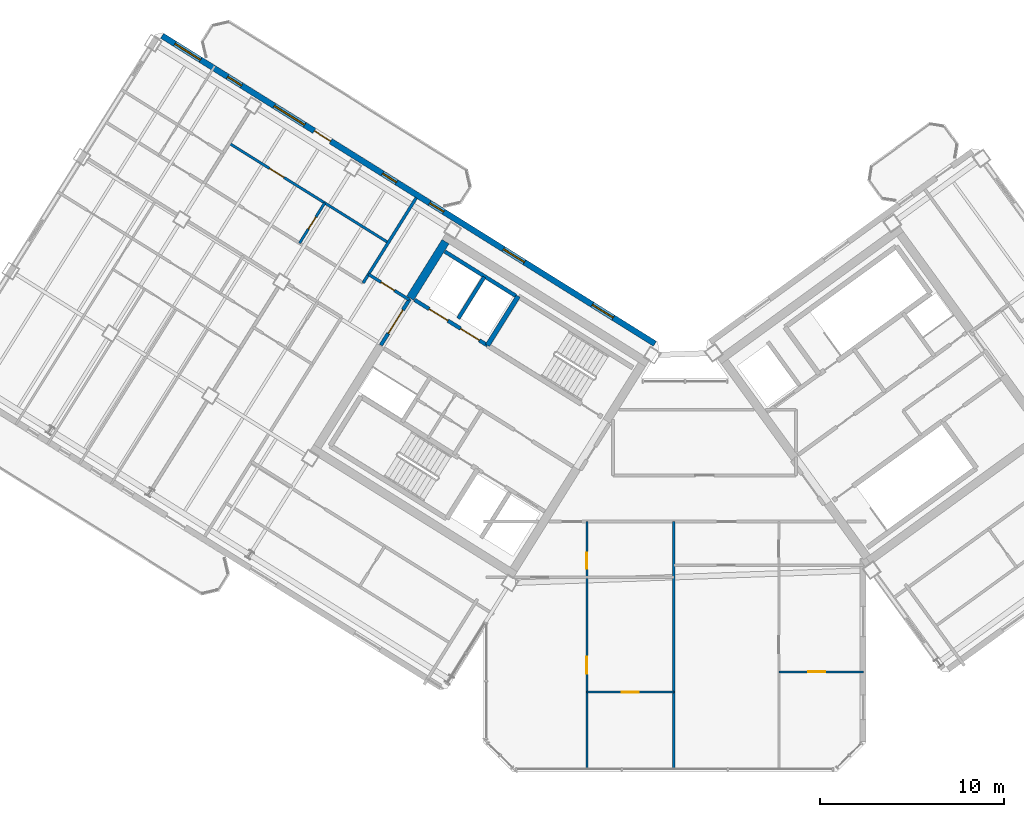
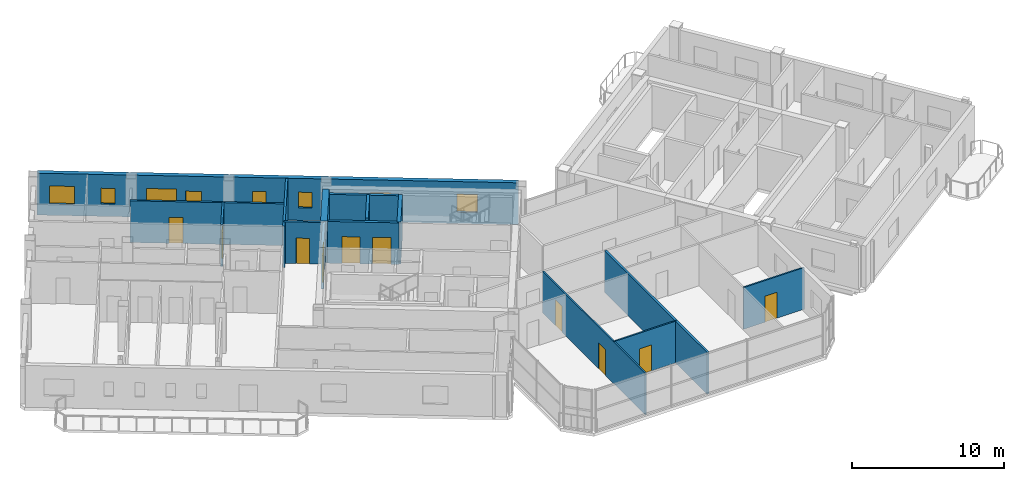
# One storey, part 18 of 25: 15 walls, 11 doors, 7 windows, 18 openings.
"""IFC4 building model written with IfcOpenShell, lengths in metres."""

from ifc_helpers import new_model, si_unit, direction, frame, frame_2d, origin, place, context, subcontext, project, spatial, rectangle, extrude, source, transform, mapped, material, layer, layer_set, type_object, element, fill, save


model = new_model("IFC4")

# Units and contexts
model_context = context("Model", 3, precision=1e-05, world=origin(), true_north=direction((0.0, 1.0)))
body_context = subcontext(model_context, "Body", "Model", "MODEL_VIEW")
ifc_project = project(units=[si_unit("LENGTHUNIT", "METRE"), si_unit("AREAUNIT", "SQUARE_METRE"), si_unit("VOLUMEUNIT", "CUBIC_METRE"), si_unit("PLANEANGLEUNIT", "RADIAN"), si_unit("MASSUNIT", "GRAM", prefix="KILO")], contexts=[model_context])

# Site, building, storey
site_placement = place(None, origin())
site = spatial("IfcSite", under=ifc_project, at=site_placement, CompositionType="ELEMENT")
building_placement = place(site_placement, origin())
building = spatial("IfcBuilding", under=site, at=building_placement, Name="Tlacorven Tower", CompositionType="ELEMENT")
storey_placement = place(building_placement, frame((0.0, 0.0, 259.199951171875)))
storey = spatial("IfcBuildingStorey", under=building, at=storey_placement, Name="L65", CompositionType="ELEMENT", Elevation=259.199951171875)

# Wall
ifc_material_1 = material(Name="Concrete C50/60", Category="concrete")
ifc_layer_1 = layer(ifc_material_1, 0.449951171875)
ifc_layer_set_1 = layer_set([ifc_layer_1], Name="Concrete C50/60")
wall_type_1 = type_object("IfcWallType", Name="WL-COR-450", PredefinedType="SHEAR", material=ifc_layer_set_1)
wall_1_placement = place(storey_placement, frame((29.543701171875, 30.636474609375, 0.0), z_axis=(0.0, 0.0, 1.0), x_axis=(-0.529902075036, -0.848058836916, 0.0)))
element("IfcWall", 1, at=wall_1_placement, inside=storey, type_object=wall_type_1, Name="L65 W core end wall E2.1", PredefinedType="SHEAR", context=body_context, shape_type="SweptSolid", body=[
    extrude(rectangle(XDim=3.625, YDim=0.449951171875, at=frame_2d((1.8125, 0.0))), origin(), (0.0, 0.0, 1.0), 3.35009765625),
])

# Wall, opening, door
ifc_material_2 = material(Name="Gypsum plasterboard acoustic partition", Category="gypsum")
ifc_layer_2 = layer(ifc_material_2, 0.159912109375)
ifc_layer_set_2 = layer_set([ifc_layer_2], Name="Gypsum plasterboard acoustic partition")
wall_type_2 = type_object("IfcWallType", Name="WL-DEM-160", PredefinedType="PARTITIONING", material=ifc_layer_set_2)
wall_2_placement = place(storey_placement, frame((27.56982421875, 27.4775390625, 0.0), z_axis=(0.0, 0.0, 1.0), x_axis=(-0.848050851465, 0.529914854792, 0.0)))
wall_2 = element("IfcWall", 2, at=wall_2_placement, inside=storey, type_object=wall_type_2, Name="L65 partition 38", PredefinedType="PARTITIONING", context=body_context, shape_type="SweptSolid", body=[
    extrude(rectangle(XDim=2.60986328125, YDim=0.159912109375, at=frame_2d((1.304931640625, 0.0))), origin(), (0.0, 0.0, 1.0), 3.340087890625),
])
opening_1_placement = place(wall_2_placement, frame((0.949951171875, 0.0, 0.0)))
opening_1 = element("IfcOpeningElement", 3, at=opening_1_placement, cuts=wall_2, Name="Opening D19", PredefinedType="OPENING", context=body_context, shape_type="SweptSolid", body=[
    extrude(rectangle(XDim=0.860107421875, YDim=2.050048828125, at=frame_2d((0.43017578125, 1.02490234375))), frame((0.0, 0.08984375, 0.0), z_axis=(0.0, -1.0, 0.0), x_axis=(1.0, 0.0, 0.0)), (0.0, 0.0, 1.0), 0.179931640625),
])
ifc_material_3 = material(Name="Fire-rated steel door assembly", Category="steel")
door_type_1 = type_object("IfcDoorType", Name="DR-RSR-FD60-0860", OperationType="NOTDEFINED", PredefinedType="DOOR", material=ifc_material_3)
shared_shape_1 = source(origin(), body_context, "Body", "SweptSolid", [
    extrude(rectangle(XDim=0.860107421875, YDim=2.050048828125, at=frame_2d((0.43017578125, 1.02490234375))), frame((0.0, 0.02490234375, 0.0), z_axis=(0.0, -1.0, 0.0), x_axis=(1.0, 0.0, 0.0)), (0.0, 0.0, 1.0), 0.050048828125),
])
door_1_placement = place(opening_1_placement, frame((0.860107421875, 0.0, 0.0), z_axis=(0.0, 0.0, 1.0), x_axis=(-1.0, 0.0, 0.0)))
door_1 = element("IfcDoor", 4, at=door_1_placement, inside=storey, type_object=door_type_1, Name="L65 door 021", OperationType="SINGLE_SWING_RIGHT", OverallHeight=2.050048828125, OverallWidth=0.860107421875, PredefinedType="DOOR", context=body_context, shape_type="MappedRepresentation", body=[
    mapped(shared_shape_1, transform((0.0, 0.0, 0.0), scale=1.0)),
])
fill(opening_1, door_1)

# Walls
wall_3_placement = place(storey_placement, frame((27.952880859375, 33.01611328125, 0.0), z_axis=(0.0, 0.0, 1.0), x_axis=(-0.529906322364, -0.848056182997, 0.0)))
element("IfcWall", 5, at=wall_3_placement, inside=storey, type_object=wall_type_2, Name="L65 partition 40", PredefinedType="PARTITIONING", context=body_context, shape_type="SweptSolid", body=[
    extrude(rectangle(XDim=5.449951171875, YDim=0.159912109375, at=frame_2d((2.72509765625, 0.0))), origin(), (0.0, 0.0, 1.0), 3.340087890625),
])
wall_4_placement = place(storey_placement, frame((41.949951171875, 1.9599609375, 0.0), z_axis=(0.0, 0.0, 1.0), x_axis=(0.0, 1.0, 0.0)))
element("IfcWall", 6, at=wall_4_placement, inside=storey, type_object=wall_type_2, Name="L65 Knuckle Demising Wall 1", PredefinedType="PARTITIONING", context=body_context, shape_type="SweptSolid", body=[
    extrude(rectangle(XDim=13.4599609375, YDim=0.159912109375, at=frame_2d((6.72998046875, 0.0))), origin(), (0.0, 0.0, 1.0), 3.340087890625),
])

# Wall, openings, door, windows
ifc_material_4 = material(Name="Precast concrete C45/55", Category="concrete")
ifc_layer_3 = layer(ifc_material_4, 0.320068359375)
ifc_layer_set_3 = layer_set([ifc_layer_3], Name="Precast concrete C45/55")
wall_type_3 = type_object("IfcWallType", Name="WL-EXT-320", PredefinedType="STANDARD", material=ifc_layer_set_3)
wall_5_placement = place(storey_placement, frame((14.13818359375, 41.825439453125, 0.0), z_axis=(0.0, 0.0, 1.0), x_axis=(0.848046498049, -0.529921821731, 0.0)))
wall_5 = element("IfcWall", 7, at=wall_5_placement, inside=storey, type_object=wall_type_3, Name="L65 Masonry-Frame Recessed Facade Wall 3", PredefinedType="STANDARD", context=body_context, shape_type="SweptSolid", body=[
    extrude(rectangle(XDim=31.587646484375, YDim=0.320068359375, at=frame_2d((15.7939453125, 0.0))), origin(), (0.0, 0.0, 1.0), 3.35009765625),
])
opening_2_placement = place(wall_5_placement, frame((9.753173828125, 0.0, 0.0)))
opening_2 = element("IfcOpeningElement", 8, at=opening_2_placement, cuts=wall_5, Name="Opening D06", PredefinedType="OPENING", context=body_context, shape_type="SweptSolid", body=[
    extrude(rectangle(XDim=1.050048828125, YDim=2.14990234375, at=frame_2d((0.52490234375, 1.074951171875))), frame((0.0, 0.169921875, 0.0), z_axis=(0.0, -1.0, 0.0), x_axis=(1.0, 0.0, 0.0)), (0.0, 0.0, 1.0), 0.340087890625),
])
opening_3_placement = place(wall_5_placement, frame((0.816162109375, 0.0, 0.89990234375)))
opening_3 = element("IfcOpeningElement", 9, at=opening_3_placement, cuts=wall_5, Name="Opening WN07", PredefinedType="OPENING", context=body_context, shape_type="SweptSolid", body=[
    extrude(rectangle(XDim=1.64990234375, YDim=1.449951171875, at=frame_2d((0.824951171875, 0.72509765625))), frame((0.0, 0.169921875, 0.0), z_axis=(0.0, -1.0, 0.0), x_axis=(1.0, 0.0, 0.0)), (0.0, 0.0, 1.0), 0.340087890625),
])
opening_4_placement = place(wall_5_placement, frame((4.1962890625, 0.0, 1.0)))
opening_4 = element("IfcOpeningElement", 10, at=opening_4_placement, cuts=wall_5, Name="Opening WN05", PredefinedType="OPENING", context=body_context, shape_type="SweptSolid", body=[
    extrude(rectangle(XDim=0.89990234375, YDim=1.25, at=frame_2d((0.449951171875, 0.625))), frame((0.0, 0.169921875, 0.0), z_axis=(0.0, -1.0, 0.0), x_axis=(1.0, 0.0, 0.0)), (0.0, 0.0, 1.0), 0.340087890625),
])
opening_5_placement = place(wall_5_placement, frame((7.1884765625, 0.0, 0.949951171875)))
opening_5 = element("IfcOpeningElement", 11, at=opening_5_placement, cuts=wall_5, Name="Opening WN09", PredefinedType="OPENING", context=body_context, shape_type="SweptSolid", body=[
    extrude(rectangle(XDim=1.949951171875, YDim=1.35009765625, at=frame_2d((0.97509765625, 0.675048828125))), frame((0.0, 0.169921875, 0.0), z_axis=(0.0, -1.0, 0.0), x_axis=(1.0, 0.0, 0.0)), (0.0, 0.0, 1.0), 0.340087890625),
])
opening_6_placement = place(wall_5_placement, frame((14.123779296875, 0.0, 1.0)))
opening_6 = element("IfcOpeningElement", 12, at=opening_6_placement, cuts=wall_5, Name="Opening WN05", PredefinedType="OPENING", context=body_context, shape_type="SweptSolid", body=[
    extrude(rectangle(XDim=0.89990234375, YDim=1.25, at=frame_2d((0.449951171875, 0.625))), frame((0.0, 0.169921875, 0.0), z_axis=(0.0, -1.0, 0.0), x_axis=(1.0, 0.0, 0.0)), (0.0, 0.0, 1.0), 0.340087890625),
])
opening_7_placement = place(wall_5_placement, frame((17.15380859375, 0.0, 1.0)))
opening_7 = element("IfcOpeningElement", 13, at=opening_7_placement, cuts=wall_5, Name="Opening WN05", PredefinedType="OPENING", context=body_context, shape_type="SweptSolid", body=[
    extrude(rectangle(XDim=0.89990234375, YDim=1.25, at=frame_2d((0.449951171875, 0.625))), frame((0.0, 0.169921875, 0.0), z_axis=(0.0, -1.0, 0.0), x_axis=(1.0, 0.0, 0.0)), (0.0, 0.0, 1.0), 0.340087890625),
])
opening_8_placement = place(wall_5_placement, frame((21.86865234375, 0.0, 0.89990234375)))
opening_8 = element("IfcOpeningElement", 14, at=opening_8_placement, cuts=wall_5, Name="Opening WN08", PredefinedType="OPENING", context=body_context, shape_type="SweptSolid", body=[
    extrude(rectangle(XDim=1.35009765625, YDim=1.449951171875, at=frame_2d((0.675048828125, 0.72509765625))), frame((0.0, 0.169921875, 0.0), z_axis=(0.0, -1.0, 0.0), x_axis=(1.0, 0.0, 0.0)), (0.0, 0.0, 1.0), 0.340087890625),
])
opening_9_placement = place(wall_5_placement, frame((27.568603515625, 0.0, 0.89990234375)))
opening_9 = element("IfcOpeningElement", 15, at=opening_9_placement, cuts=wall_5, Name="Opening WN08", PredefinedType="OPENING", context=body_context, shape_type="SweptSolid", body=[
    extrude(rectangle(XDim=1.35009765625, YDim=1.449951171875, at=frame_2d((0.675048828125, 0.72509765625))), frame((0.0, 0.169921875, 0.0), z_axis=(0.0, -1.0, 0.0), x_axis=(1.0, 0.0, 0.0)), (0.0, 0.0, 1.0), 0.340087890625),
])
ifc_material_5 = material(Name="Powder-coated aluminium and timber door", Category="wood")
door_type_2 = type_object("IfcDoorType", Name="DR-EXT-BALC-1050", OperationType="NOTDEFINED", PredefinedType="DOOR", material=ifc_material_5)
shared_shape_2 = source(origin(), body_context, "Body", "SweptSolid", [
    extrude(rectangle(XDim=1.050048828125, YDim=2.14990234375, at=frame_2d((0.52490234375, 1.074951171875))), frame((0.0, 0.02490234375, 0.0), z_axis=(0.0, -1.0, 0.0), x_axis=(1.0, 0.0, 0.0)), (0.0, 0.0, 1.0), 0.050048828125),
])
door_2_placement = place(opening_2_placement, origin())
door_2 = element("IfcDoor", 16, at=door_2_placement, inside=storey, type_object=door_type_2, Name="L65 Outdoor Access Door BAL-L65-W-IN", OperationType="SINGLE_SWING_RIGHT", OverallHeight=2.14990234375, OverallWidth=1.050048828125, PredefinedType="DOOR", context=body_context, shape_type="MappedRepresentation", body=[
    mapped(shared_shape_2, transform((0.0, 0.0, 0.0), scale=1.0)),
])
fill(opening_2, door_2)
ifc_material_6 = material(Name="Dark solar low-E double glazing in anodised aluminium frame", Category="aluminium")
window_type_1 = type_object("IfcWindowType", Name="WN-APT-0900X1350", PartitioningType="SINGLE_PANEL", PredefinedType="WINDOW", material=ifc_material_6)
shared_shape_3 = source(origin(), body_context, "Body", "SweptSolid", [
    extrude(rectangle(XDim=0.89990234375, YDim=1.25, at=frame_2d((0.449951171875, 0.625))), frame((0.0, 0.030029296875, 0.0), z_axis=(0.0, -1.0, 0.0), x_axis=(1.0, 0.0, 0.0)), (0.0, 0.0, 1.0), 0.06005859375),
])
window_1_placement = place(opening_4_placement, origin())
window_1 = element("IfcWindow", 17, at=window_1_placement, inside=storey, type_object=window_type_1, Name="L65 Recessed Masonry-Frame Window L65-03.2", OverallHeight=1.25, OverallWidth=0.89990234375, PartitioningType="SINGLE_PANEL", PredefinedType="WINDOW", context=body_context, shape_type="MappedRepresentation", body=[
    mapped(shared_shape_3, transform((0.0, 0.0, 0.0), scale=1.0)),
])
fill(opening_4, window_1)
window_2_placement = place(opening_6_placement, origin())
window_2 = element("IfcWindow", 18, at=window_2_placement, inside=storey, type_object=window_type_1, Name="L65 Recessed Masonry-Frame Window L65-03.4", OverallHeight=1.25, OverallWidth=0.89990234375, PartitioningType="SINGLE_PANEL", PredefinedType="WINDOW", context=body_context, shape_type="MappedRepresentation", body=[
    mapped(shared_shape_3, transform((0.0, 0.0, 0.0), scale=1.0)),
])
fill(opening_6, window_2)
window_3_placement = place(opening_7_placement, origin())
window_3 = element("IfcWindow", 19, at=window_3_placement, inside=storey, type_object=window_type_1, Name="L65 Recessed Masonry-Frame Window L65-03.5", OverallHeight=1.25, OverallWidth=0.89990234375, PartitioningType="SINGLE_PANEL", PredefinedType="WINDOW", context=body_context, shape_type="MappedRepresentation", body=[
    mapped(shared_shape_3, transform((0.0, 0.0, 0.0), scale=1.0)),
])
fill(opening_7, window_3)
window_type_2 = type_object("IfcWindowType", Name="WN-APT-1650X1600", PartitioningType="SINGLE_PANEL", PredefinedType="WINDOW", material=ifc_material_6)
shared_shape_4 = source(origin(), body_context, "Body", "SweptSolid", [
    extrude(rectangle(XDim=1.64990234375, YDim=1.449951171875, at=frame_2d((0.824951171875, 0.72509765625))), frame((0.0, 0.030029296875, 0.0), z_axis=(0.0, -1.0, 0.0), x_axis=(1.0, 0.0, 0.0)), (0.0, 0.0, 1.0), 0.06005859375),
])
window_4_placement = place(opening_3_placement, origin())
window_4 = element("IfcWindow", 20, at=window_4_placement, inside=storey, type_object=window_type_2, Name="L65 Recessed Masonry-Frame Window L65-03.1", OverallHeight=1.449951171875, OverallWidth=1.64990234375, PartitioningType="SINGLE_PANEL", PredefinedType="WINDOW", context=body_context, shape_type="MappedRepresentation", body=[
    mapped(shared_shape_4, transform((0.0, 0.0, 0.0), scale=1.0)),
])
fill(opening_3, window_4)
window_type_3 = type_object("IfcWindowType", Name="WN-APT-1350X1550", PartitioningType="SINGLE_PANEL", PredefinedType="WINDOW", material=ifc_material_6)
shared_shape_5 = source(origin(), body_context, "Body", "SweptSolid", [
    extrude(rectangle(XDim=1.35009765625, YDim=1.449951171875, at=frame_2d((0.675048828125, 0.72509765625))), frame((0.0, 0.030029296875, 0.0), z_axis=(0.0, -1.0, 0.0), x_axis=(1.0, 0.0, 0.0)), (0.0, 0.0, 1.0), 0.06005859375),
])
window_5_placement = place(opening_8_placement, origin())
window_5 = element("IfcWindow", 21, at=window_5_placement, inside=storey, type_object=window_type_3, Name="L65 Recessed Masonry-Frame Window L65-03.6", OverallHeight=1.449951171875, OverallWidth=1.35009765625, PartitioningType="SINGLE_PANEL", PredefinedType="WINDOW", context=body_context, shape_type="MappedRepresentation", body=[
    mapped(shared_shape_5, transform((0.0, 0.0, 0.0), scale=1.0)),
])
fill(opening_8, window_5)
window_6_placement = place(opening_9_placement, origin())
window_6 = element("IfcWindow", 22, at=window_6_placement, inside=storey, type_object=window_type_3, Name="L65 Recessed Masonry-Frame Window L65-03.7", OverallHeight=1.449951171875, OverallWidth=1.35009765625, PartitioningType="SINGLE_PANEL", PredefinedType="WINDOW", context=body_context, shape_type="MappedRepresentation", body=[
    mapped(shared_shape_5, transform((0.0, 0.0, 0.0), scale=1.0)),
])
fill(opening_9, window_6)
window_type_4 = type_object("IfcWindowType", Name="WN-GAL-1950X1450", PartitioningType="SINGLE_PANEL", PredefinedType="WINDOW", material=ifc_material_6)
shared_shape_6 = source(origin(), body_context, "Body", "SweptSolid", [
    extrude(rectangle(XDim=1.949951171875, YDim=1.35009765625, at=frame_2d((0.97509765625, 0.675048828125))), frame((0.0, 0.030029296875, 0.0), z_axis=(0.0, -1.0, 0.0), x_axis=(1.0, 0.0, 0.0)), (0.0, 0.0, 1.0), 0.06005859375),
])
window_7_placement = place(opening_5_placement, origin())
window_7 = element("IfcWindow", 23, at=window_7_placement, inside=storey, type_object=window_type_4, Name="L65 Recessed Masonry-Frame Window L65-03.3", OverallHeight=1.35009765625, OverallWidth=1.949951171875, PartitioningType="SINGLE_PANEL", PredefinedType="WINDOW", context=body_context, shape_type="MappedRepresentation", body=[
    mapped(shared_shape_6, transform((0.0, 0.0, 0.0), scale=1.0)),
])
fill(opening_5, window_7)

# Wall, openings, doors
ifc_material_7 = material(Name="Gypsum plasterboard partition", Category="gypsum")
ifc_layer_4 = layer(ifc_material_7, 0.110107421875)
ifc_layer_set_4 = layer_set([ifc_layer_4], Name="Gypsum plasterboard partition")
wall_type_4 = type_object("IfcWallType", Name="WL-INT-110", PredefinedType="PARTITIONING", material=ifc_layer_set_4)
wall_6_placement = place(storey_placement, frame((37.221923828125, 1.9599609375, 0.0), z_axis=(0.0, 0.0, 1.0), x_axis=(0.0, 1.0, 0.0)))
wall_6 = element("IfcWall", 24, at=wall_6_placement, inside=storey, type_object=wall_type_4, Name="L65 partition 76", PredefinedType="PARTITIONING", context=body_context, shape_type="SweptSolid", body=[
    extrude(rectangle(XDim=13.4599609375, YDim=0.110107421875, at=frame_2d((6.72998046875, 0.0))), origin(), (0.0, 0.0, 1.0), 3.340087890625),
])
opening_10_placement = place(wall_6_placement, frame((5.199951171875, 0.0, 0.0)))
opening_10 = element("IfcOpeningElement", 25, at=opening_10_placement, cuts=wall_6, Name="Opening D12", PredefinedType="OPENING", context=body_context, shape_type="SweptSolid", body=[
    extrude(rectangle(XDim=0.919921875, YDim=2.080078125, at=frame_2d((0.4599609375, 1.0400390625))), frame((0.0, 0.06494140625, 0.0), z_axis=(0.0, -1.0, 0.0), x_axis=(1.0, 0.0, 0.0)), (0.0, 0.0, 1.0), 0.130126953125),
])
opening_11_placement = place(wall_6_placement, frame((10.889892578125, 0.0, 0.0)))
opening_11 = element("IfcOpeningElement", 26, at=opening_11_placement, cuts=wall_6, Name="Opening D13", PredefinedType="OPENING", context=body_context, shape_type="SweptSolid", body=[
    extrude(rectangle(XDim=0.8798828125, YDim=2.080078125, at=frame_2d((0.43994140625, 1.0400390625))), frame((0.0, 0.06494140625, 0.0), z_axis=(0.0, -1.0, 0.0), x_axis=(1.0, 0.0, 0.0)), (0.0, 0.0, 1.0), 0.130126953125),
])
door_type_3 = type_object("IfcDoorType", Name="DR-INT-WET-0880", OperationType="NOTDEFINED", PredefinedType="DOOR", material=ifc_material_5)
shared_shape_7 = source(origin(), body_context, "Body", "SweptSolid", [
    extrude(rectangle(XDim=0.8798828125, YDim=2.080078125, at=frame_2d((0.43994140625, 1.0400390625))), frame((0.0, 0.02490234375, 0.0), z_axis=(0.0, -1.0, 0.0), x_axis=(1.0, 0.0, 0.0)), (0.0, 0.0, 1.0), 0.050048828125),
])
door_3_placement = place(opening_11_placement, origin())
door_3 = element("IfcDoor", 27, at=door_3_placement, inside=storey, type_object=door_type_3, Name="L65 door 054", OperationType="SINGLE_SWING_RIGHT", OverallHeight=2.080078125, OverallWidth=0.8798828125, PredefinedType="DOOR", context=body_context, shape_type="MappedRepresentation", body=[
    mapped(shared_shape_7, transform((0.0, 0.0, 0.0), scale=1.0)),
])
fill(opening_11, door_3)
door_type_4 = type_object("IfcDoorType", Name="DR-INT-ROOM-0920", OperationType="NOTDEFINED", PredefinedType="DOOR", material=ifc_material_5)
shared_shape_8 = source(origin(), body_context, "Body", "SweptSolid", [
    extrude(rectangle(XDim=0.919921875, YDim=2.080078125, at=frame_2d((0.4599609375, 1.0400390625))), frame((0.0, 0.02490234375, 0.0), z_axis=(0.0, -1.0, 0.0), x_axis=(1.0, 0.0, 0.0)), (0.0, 0.0, 1.0), 0.050048828125),
])
door_4_placement = place(opening_10_placement, origin())
door_4 = element("IfcDoor", 28, at=door_4_placement, inside=storey, type_object=door_type_4, Name="L65 door 050", OperationType="SINGLE_SWING_RIGHT", OverallHeight=2.080078125, OverallWidth=0.919921875, PredefinedType="DOOR", context=body_context, shape_type="MappedRepresentation", body=[
    mapped(shared_shape_8, transform((0.0, 0.0, 0.0), scale=1.0)),
])
fill(opening_10, door_4)

# Wall, opening, door
wall_7_placement = place(storey_placement, frame((37.221923828125, 6.14990234375, 0.0), z_axis=(0.0, 0.0, 1.0), x_axis=(1.0, 0.0, 0.0)))
wall_7 = element("IfcWall", 29, at=wall_7_placement, inside=storey, type_object=wall_type_4, Name="L65 partition 79", PredefinedType="PARTITIONING", context=body_context, shape_type="SweptSolid", body=[
    extrude(rectangle(XDim=4.72802734375, YDim=0.110107421875, at=frame_2d((2.364013671875, 0.0))), origin(), (0.0, 0.0, 1.0), 3.340087890625),
])
opening_12_placement = place(wall_7_placement, frame((1.904052734375, 0.0, 0.0)))
opening_12 = element("IfcOpeningElement", 30, at=opening_12_placement, cuts=wall_7, Name="Opening D12", PredefinedType="OPENING", context=body_context, shape_type="SweptSolid", body=[
    extrude(rectangle(XDim=0.919921875, YDim=2.080078125, at=frame_2d((0.4599609375, 1.0400390625))), frame((0.0, 0.06494140625, 0.0), z_axis=(0.0, -1.0, 0.0), x_axis=(1.0, 0.0, 0.0)), (0.0, 0.0, 1.0), 0.130126953125),
])
door_5_placement = place(opening_12_placement, origin())
door_5 = element("IfcDoor", 31, at=door_5_placement, inside=storey, type_object=door_type_4, Name="L65 door 051", OperationType="SINGLE_SWING_LEFT", OverallHeight=2.080078125, OverallWidth=0.919921875, PredefinedType="DOOR", context=body_context, shape_type="MappedRepresentation", body=[
    mapped(shared_shape_8, transform((0.0, 0.0, 0.0), scale=1.0)),
])
fill(opening_12, door_5)

wall_8_placement = place(storey_placement, frame((47.6630859375, 7.25, 0.0), z_axis=(0.0, 0.0, 1.0), x_axis=(1.0, 0.0, 0.0)))
wall_8 = element("IfcWall", 32, at=wall_8_placement, inside=storey, type_object=wall_type_4, Name="L65 partition 83", PredefinedType="PARTITIONING", context=body_context, shape_type="SweptSolid", body=[
    extrude(rectangle(XDim=4.596923828125, YDim=0.110107421875, at=frame_2d((2.29833984375, 0.0))), origin(), (0.0, 0.0, 1.0), 3.340087890625),
])
opening_13_placement = place(wall_8_placement, frame((1.6083984375, 0.0, 0.0)))
opening_13 = element("IfcOpeningElement", 33, at=opening_13_placement, cuts=wall_8, Name="Opening D12", PredefinedType="OPENING", context=body_context, shape_type="SweptSolid", body=[
    extrude(rectangle(XDim=0.919921875, YDim=2.080078125, at=frame_2d((0.4599609375, 1.0400390625))), frame((0.0, 0.06494140625, 0.0), z_axis=(0.0, -1.0, 0.0), x_axis=(1.0, 0.0, 0.0)), (0.0, 0.0, 1.0), 0.130126953125),
])
door_6_placement = place(opening_13_placement, origin())
door_6 = element("IfcDoor", 34, at=door_6_placement, inside=storey, type_object=door_type_4, Name="L65 door 056", OperationType="SINGLE_SWING_RIGHT", OverallHeight=2.080078125, OverallWidth=0.919921875, PredefinedType="DOOR", context=body_context, shape_type="MappedRepresentation", body=[
    mapped(shared_shape_8, transform((0.0, 0.0, 0.0), scale=1.0)),
])
fill(opening_13, door_6)

ifc_material_8 = material(Name="Moisture-resistant gypsum plumbing wall", Category="gypsum")
ifc_layer_5 = layer(ifc_material_8, 0.139892578125)
ifc_layer_set_5 = layer_set([ifc_layer_5], Name="Moisture-resistant gypsum plumbing wall")
wall_type_5 = type_object("IfcWallType", Name="WL-PLM-140", PredefinedType="PLUMBINGWALL", material=ifc_layer_set_5)
wall_9_placement = place(storey_placement, frame((26.43212890625, 30.582275390625, 0.0), z_axis=(0.0, 0.0, 1.0), x_axis=(-0.848057523537, 0.529904176971, 0.0)))
wall_9 = element("IfcWall", 35, at=wall_9_placement, inside=storey, type_object=wall_type_5, Name="L65 partition 58", PredefinedType="PLUMBINGWALL", context=body_context, shape_type="SweptSolid", body=[
    extrude(rectangle(XDim=10.18994140625, YDim=0.139892578125, at=frame_2d((5.094970703125, 0.0))), origin(), (0.0, 0.0, 1.0), 3.340087890625),
])
opening_14_placement = place(wall_9_placement, frame((6.693115234375, 0.0, 0.0)))
opening_14 = element("IfcOpeningElement", 36, at=opening_14_placement, cuts=wall_9, Name="Opening D12", PredefinedType="OPENING", context=body_context, shape_type="SweptSolid", body=[
    extrude(rectangle(XDim=0.919921875, YDim=2.080078125, at=frame_2d((0.4599609375, 1.0400390625))), frame((0.0, 0.080078125, 0.0), z_axis=(0.0, -1.0, 0.0), x_axis=(1.0, 0.0, 0.0)), (0.0, 0.0, 1.0), 0.159912109375),
])
door_7_placement = place(opening_14_placement, origin())
door_7 = element("IfcDoor", 37, at=door_7_placement, inside=storey, type_object=door_type_4, Name="L65 door 037", OperationType="SINGLE_SWING_LEFT", OverallHeight=2.080078125, OverallWidth=0.919921875, PredefinedType="DOOR", context=body_context, shape_type="MappedRepresentation", body=[
    mapped(shared_shape_8, transform((0.0, 0.0, 0.0), scale=1.0)),
])
fill(opening_14, door_7)

wall_10_placement = place(storey_placement, frame((22.9755859375, 32.7421875, 0.0), z_axis=(0.0, 0.0, 1.0), x_axis=(-0.529913878929, -0.848051461244, 0.0)))
wall_10 = element("IfcWall", 38, at=wall_10_placement, inside=storey, type_object=wall_type_5, Name="L65 partition 59", PredefinedType="PLUMBINGWALL", context=body_context, shape_type="SweptSolid", body=[
    extrude(rectangle(XDim=2.580078125, YDim=0.139892578125, at=frame_2d((1.2900390625, 0.0))), origin(), (0.0, 0.0, 1.0), 3.340087890625),
])
opening_15_placement = place(wall_10_placement, frame((0.89990234375, 0.0, 0.0)))
opening_15 = element("IfcOpeningElement", 39, at=opening_15_placement, cuts=wall_10, Name="Opening D22", PredefinedType="OPENING", context=body_context, shape_type="SweptSolid", body=[
    extrude(rectangle(XDim=0.780029296875, YDim=2.050048828125, at=frame_2d((0.39013671875, 1.02490234375))), frame((0.0, 0.080078125, 0.0), z_axis=(0.0, -1.0, 0.0), x_axis=(1.0, 0.0, 0.0)), (0.0, 0.0, 1.0), 0.159912109375),
])
door_type_5 = type_object("IfcDoorType", Name="DR-INT-WET-0780", OperationType="NOTDEFINED", PredefinedType="DOOR", material=ifc_material_5)
shared_shape_9 = source(origin(), body_context, "Body", "SweptSolid", [
    extrude(rectangle(XDim=0.780029296875, YDim=2.050048828125, at=frame_2d((0.39013671875, 1.02490234375))), frame((0.0, 0.02490234375, 0.0), z_axis=(0.0, -1.0, 0.0), x_axis=(1.0, 0.0, 0.0)), (0.0, 0.0, 1.0), 0.050048828125),
])
door_8_placement = place(opening_15_placement, origin())
door_8 = element("IfcDoor", 40, at=door_8_placement, inside=storey, type_object=door_type_5, Name="L65 door 038", OperationType="SINGLE_SWING_RIGHT", OverallHeight=2.050048828125, OverallWidth=0.780029296875, PredefinedType="DOOR", context=body_context, shape_type="MappedRepresentation", body=[
    mapped(shared_shape_9, transform((0.0, 0.0, 0.0), scale=1.0)),
])
fill(opening_15, door_8)

# Wall, openings, doors
ifc_material_9 = material(Name="Concrete C40/50", Category="concrete")
ifc_layer_6 = layer(ifc_material_9, 0.199951171875)
ifc_layer_set_6 = layer_set([ifc_layer_6], Name="Concrete C40/50")
wall_type_6 = type_object("IfcWallType", Name="WL-SHF-200", PredefinedType="STANDARD", material=ifc_layer_set_6)
wall_11_placement = place(storey_placement, frame((31.82177734375, 24.99755859375, 0.0), z_axis=(0.0, 0.0, 1.0), x_axis=(-0.848054125777, 0.529909614701, 0.0)))
wall_11 = element("IfcWall", 41, at=wall_11_placement, inside=storey, type_object=wall_type_6, Name="L65 Core W South Lift Shaft Wall", PredefinedType="STANDARD", context=body_context, shape_type="SweptSolid", body=[
    extrude(rectangle(XDim=4.66796875, YDim=0.199951171875, at=frame_2d((2.333984375, 0.0))), origin(), (0.0, 0.0, 1.0), 3.340087890625),
])
opening_16_placement = place(wall_11_placement, frame((0.52001953125, 0.0, 0.0)))
opening_16 = element("IfcOpeningElement", 42, at=opening_16_placement, cuts=wall_11, Name="Opening LD02", PredefinedType="OPENING", context=body_context, shape_type="SweptSolid", body=[
    extrude(rectangle(XDim=1.199951171875, YDim=2.14990234375, at=frame_2d((0.60009765625, 1.074951171875))), frame((0.0, 0.10986328125, 0.0), z_axis=(0.0, -1.0, 0.0), x_axis=(1.0, 0.0, 0.0)), (0.0, 0.0, 1.0), 0.219970703125),
])
opening_17_placement = place(wall_11_placement, frame((2.5400390625, 0.0, 0.0)))
opening_17 = element("IfcOpeningElement", 43, at=opening_17_placement, cuts=wall_11, Name="Opening LD02", PredefinedType="OPENING", context=body_context, shape_type="SweptSolid", body=[
    extrude(rectangle(XDim=1.199951171875, YDim=2.14990234375, at=frame_2d((0.60009765625, 1.074951171875))), frame((0.0, 0.10986328125, 0.0), z_axis=(0.0, -1.0, 0.0), x_axis=(1.0, 0.0, 0.0)), (0.0, 0.0, 1.0), 0.219970703125),
])
door_type_6 = type_object("IfcDoorType", Name="DR-LFT-SLID-1200", OperationType="DOUBLE_DOOR_SLIDING", PredefinedType="DOOR", material=ifc_material_3)
shared_shape_10 = source(origin(), body_context, "Body", "SweptSolid", [
    extrude(rectangle(XDim=1.199951171875, YDim=2.14990234375, at=frame_2d((0.60009765625, 1.074951171875))), frame((0.0, 0.02490234375, 0.0), z_axis=(0.0, -1.0, 0.0), x_axis=(1.0, 0.0, 0.0)), (0.0, 0.0, 1.0), 0.050048828125),
])
door_9_placement = place(opening_16_placement, origin())
door_9 = element("IfcDoor", 44, at=door_9_placement, inside=storey, type_object=door_type_6, Name="L65 Lift PL-H1 Sliding Landing Door", OperationType="DOUBLE_DOOR_SLIDING", OverallHeight=2.14990234375, OverallWidth=1.199951171875, PredefinedType="DOOR", context=body_context, shape_type="MappedRepresentation", body=[
    mapped(shared_shape_10, transform((0.0, 0.0, 0.0), scale=1.0)),
])
fill(opening_16, door_9)
door_10_placement = place(opening_17_placement, origin())
door_10 = element("IfcDoor", 45, at=door_10_placement, inside=storey, type_object=door_type_6, Name="L65 Lift PL-H2 Sliding Landing Door", OperationType="DOUBLE_DOOR_SLIDING", OverallHeight=2.14990234375, OverallWidth=1.199951171875, PredefinedType="DOOR", context=body_context, shape_type="MappedRepresentation", body=[
    mapped(shared_shape_10, transform((0.0, 0.0, 0.0), scale=1.0)),
])
fill(opening_17, door_10)

# Walls
wall_12_placement = place(storey_placement, frame((31.645263671875, 28.716064453125, 0.0), z_axis=(0.0, 0.0, 1.0), x_axis=(-0.52986693015, -0.848080795876, 0.0)))
element("IfcWall", 46, at=wall_12_placement, inside=storey, type_object=wall_type_6, Name="L65 partition 12", PredefinedType="STANDARD", context=body_context, shape_type="SweptSolid", body=[
    extrude(rectangle(XDim=2.659912109375, YDim=0.199951171875, at=frame_2d((1.330078125, 0.0))), origin(), (0.0, 0.0, 1.0), 3.340087890625),
])
wall_13_placement = place(storey_placement, frame((33.362548828125, 27.690185546875, 0.0), z_axis=(0.0, 0.0, 1.0), x_axis=(-0.84804957148, 0.529916903215, 0.0)))
element("IfcWall", 47, at=wall_13_placement, inside=storey, type_object=wall_type_6, Name="L65 partition 14", PredefinedType="STANDARD", context=body_context, shape_type="SweptSolid", body=[
    extrude(rectangle(XDim=4.547607421875, YDim=0.199951171875, at=frame_2d((2.27392578125, 0.0))), origin(), (0.0, 0.0, 1.0), 3.340087890625),
])

# Wall, opening, door
wall_14_placement = place(storey_placement, frame((27.59619140625, 27.52001953125, 0.0), z_axis=(0.0, 0.0, 1.0), x_axis=(-0.529865479138, -0.848081702443, 0.0)))
wall_14 = element("IfcWall", 48, at=wall_14_placement, inside=storey, type_object=wall_type_6, Name="L65 partition 37", PredefinedType="STANDARD", context=body_context, shape_type="SweptSolid", body=[
    extrude(rectangle(XDim=2.9599609375, YDim=0.199951171875, at=frame_2d((1.47998046875, 0.0))), origin(), (0.0, 0.0, 1.0), 3.340087890625),
])
opening_18_placement = place(wall_14_placement, frame((0.699951171875, 0.0, 0.0)))
opening_18 = element("IfcOpeningElement", 49, at=opening_18_placement, cuts=wall_14, Name="Opening D10", PredefinedType="OPENING", context=body_context, shape_type="SweptSolid", body=[
    extrude(rectangle(XDim=1.5, YDim=2.14990234375, at=frame_2d((0.75, 1.074951171875))), frame((0.0, 0.10986328125, 0.0), z_axis=(0.0, -1.0, 0.0), x_axis=(1.0, 0.0, 0.0)), (0.0, 0.0, 1.0), 0.219970703125),
])
door_type_7 = type_object("IfcDoorType", Name="DR-LOB-FD60-1500", OperationType="DOUBLE_DOOR_SINGLE_SWING", PredefinedType="DOOR", material=ifc_material_3)
shared_shape_11 = source(origin(), body_context, "Body", "SweptSolid", [
    extrude(rectangle(XDim=1.5, YDim=2.14990234375, at=frame_2d((0.75, 1.074951171875))), frame((0.0, 0.02490234375, 0.0), z_axis=(0.0, -1.0, 0.0), x_axis=(1.0, 0.0, 0.0)), (0.0, 0.0, 1.0), 0.050048828125),
])
door_11_placement = place(opening_18_placement, origin())
door_11 = element("IfcDoor", 50, at=door_11_placement, inside=storey, type_object=door_type_7, Name="L65 door 022", OperationType="DOUBLE_DOOR_SINGLE_SWING", OverallHeight=2.14990234375, OverallWidth=1.5, PredefinedType="DOOR", context=body_context, shape_type="MappedRepresentation", body=[
    mapped(shared_shape_11, transform((0.0, 0.0, 0.0), scale=1.0)),
])
fill(opening_18, door_11)

# Wall
ifc_layer_7 = layer(ifc_material_1, 0.260009765625)
ifc_layer_set_7 = layer_set([ifc_layer_7], Name="Concrete C50/60")
wall_type_7 = type_object("IfcWallType", Name="WL-STW-260", PredefinedType="SHEAR", material=ifc_layer_set_7)
wall_15_placement = place(storey_placement, frame((33.496337890625, 27.677490234375, 0.0), z_axis=(0.0, 0.0, 1.0), x_axis=(-0.529908658664, -0.84805472316, 0.0)))
element("IfcWall", 51, at=wall_15_placement, inside=storey, type_object=wall_type_7, Name="L65 Stair W2 East Shear Wall", PredefinedType="SHEAR", context=body_context, shape_type="SweptSolid", body=[
    extrude(rectangle(XDim=3.16015625, YDim=0.260009765625, at=frame_2d((1.580078125, 0.0))), origin(), (0.0, 0.0, 1.0), 3.35009765625),
])

save(model, "model.ifc")
